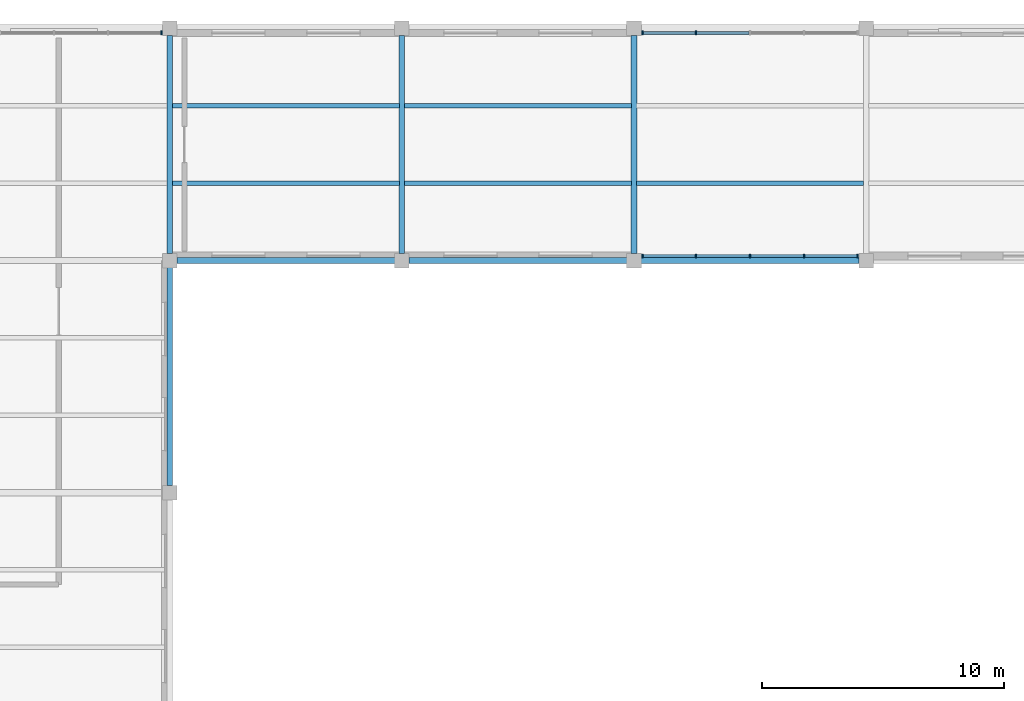
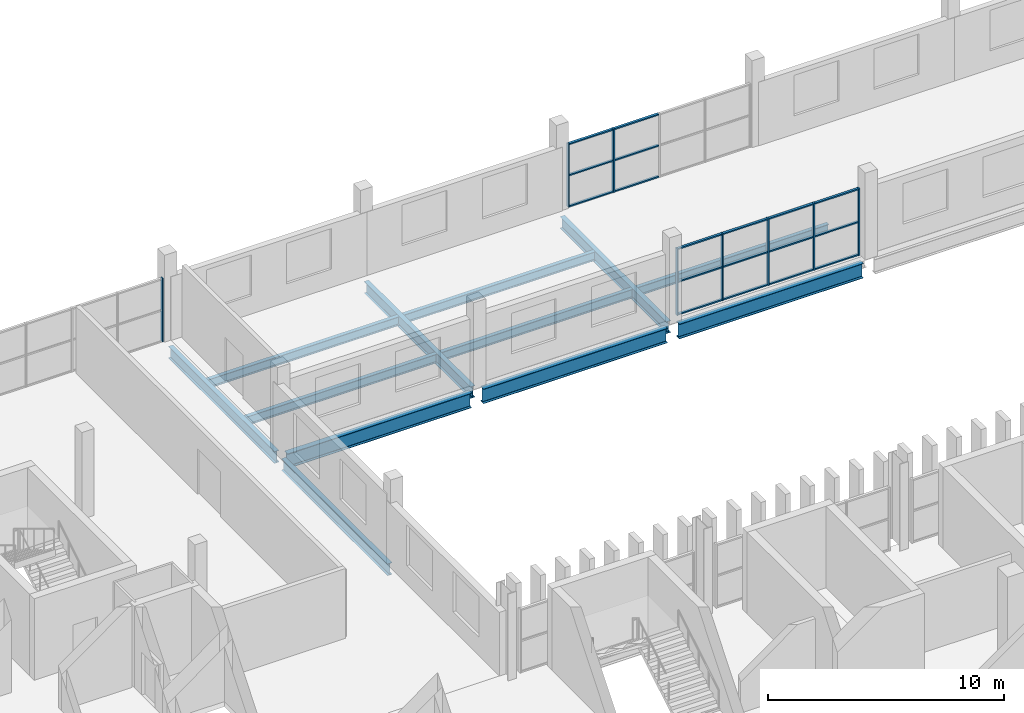
# One storey, part 41 of 92: 26 members, 12 beams, 3 elements without a shape of their own.
"""IFC4 building model written with IfcOpenShell, lengths in metres."""

from ifc_helpers import new_model, si_unit, direction, frame, origin, origin_2d, place, context, subcontext, project, spatial, rectangle, i_section, extrude, material, layer, layer_set, material_profile, profile_set, type_object, element, aggregate, save


model = new_model("IFC4")

# Units and contexts
model_context = context("Model", 3, precision=1e-05, world=origin(), true_north=direction((0.0, 1.0)))
body_context = subcontext(model_context, "Body", "Model", "MODEL_VIEW")
ifc_project = project(units=[si_unit("LENGTHUNIT", "METRE"), si_unit("AREAUNIT", "SQUARE_METRE"), si_unit("VOLUMEUNIT", "CUBIC_METRE"), si_unit("PLANEANGLEUNIT", "RADIAN"), si_unit("MASSUNIT", "GRAM", prefix="KILO")], contexts=[model_context])

# Site, building, storey
site_placement = place(None, origin())
site = spatial("IfcSite", under=ifc_project, at=site_placement, CompositionType="ELEMENT")
building_placement = place(site_placement, origin())
building = spatial("IfcBuilding", under=site, at=building_placement, Name="Caelomonte Colonnade Arena", CompositionType="ELEMENT")
storey_placement = place(building_placement, frame((0.0, 0.0, 9.60009765625)))
storey = spatial("IfcBuildingStorey", under=building, at=storey_placement, Name="L02", CompositionType="ELEMENT", Elevation=9.60009765625)

# Curtain wall, members
ifc_material_1 = material(Name="Bronze anodised aluminium and low-E glazing", Category="aluminium")
ifc_layer_1 = layer(ifc_material_1, 0.179931640625)
ifc_layer_set_1 = layer_set([ifc_layer_1], Name="Bronze anodised aluminium and low-E glazing")
curtain_wall_type_1 = type_object("IfcCurtainWallType", Name="ENV-CW-CW-L02-96-33", PredefinedType="USERDEFINED", material=ifc_layer_set_1)
curtain_wall_1_placement = place(storey_placement, origin())
curtain_wall_1 = element("IfcCurtainWall", 1, at=curtain_wall_1_placement, inside=storey, type_object=curtain_wall_type_1, Name="L02 unitized curtain wall CW-L02-1200-1438", ObjectType="UNITIZED CURTAIN WALL", PredefinedType="USERDEFINED")
ifc_material_2 = material(Name="Bronze anodised aluminium AA6063-T6", Category="aluminium")
ifc_material_profile_1 = material_profile(ifc_material_2, rectangle(XDim=0.06494140625, YDim=0.14990234375, at=origin_2d()), Name="CWM-65X150")
ifc_profile_set_1 = profile_set([ifc_material_profile_1], Name="Bronze anodised aluminium AA6063-T6")
member_type_1 = type_object("IfcMemberType", Name="ENV-CW-MULL2", PredefinedType="MULLION", material=ifc_profile_set_1)
member_1_placement = place(storey_placement, frame((117.760009765625, 143.820068359375, 0.0), z_axis=(0.0, 0.0, 1.0), x_axis=(-1.0, 0.0, 0.0)))
member_1 = element("IfcMember", 2, at=member_1_placement, type_object=member_type_1, Name="CW-L02-96-33 mullion 4", PredefinedType="MULLION", context=body_context, shape_type="SweptSolid", body=[
    extrude(rectangle(XDim=0.06494140625, YDim=0.14990234375, at=origin_2d()), origin(), (0.0, 0.0, 1.0), 3.29296875),
])
member_2_placement = place(storey_placement, frame((115.552490234375, 143.820068359375, 0.0), z_axis=(0.0, 0.0, 1.0), x_axis=(-1.0, 0.0, 0.0)))
member_2 = element("IfcMember", 3, at=member_2_placement, type_object=member_type_1, Name="CW-L02-96-33 mullion 5", PredefinedType="MULLION", context=body_context, shape_type="SweptSolid", body=[
    extrude(rectangle(XDim=0.06494140625, YDim=0.14990234375, at=origin_2d()), origin(), (0.0, 0.0, 1.0), 3.29296875),
])

# Curtain wall, member
curtain_wall_2_placement = place(storey_placement, origin())
curtain_wall_2 = element("IfcCurtainWall", 4, at=curtain_wall_2_placement, inside=storey, type_object=curtain_wall_type_1, Name="L02 unitized curtain wall CW-L02-0912-1438", ObjectType="UNITIZED CURTAIN WALL", PredefinedType="USERDEFINED")
member_3_placement = place(storey_placement, frame((95.6474609375, 143.820068359375, 0.0), z_axis=(0.0, 0.0, 1.0), x_axis=(-1.0, 0.0, 0.0)))
member_3 = element("IfcMember", 5, at=member_3_placement, type_object=member_type_1, Name="CW-L02-96-33 mullion 1", PredefinedType="MULLION", context=body_context, shape_type="SweptSolid", body=[
    extrude(rectangle(XDim=0.06494140625, YDim=0.14990234375, at=origin_2d()), origin(), (0.0, 0.0, 1.0), 3.29296875),
])
aggregate(curtain_wall_2, [member_3])

# Curtain wall, members
ifc_layer_2 = layer(ifc_material_1, 0.179931640625)
ifc_layer_set_2 = layer_set([ifc_layer_2], Name="Bronze anodised aluminium and low-E glazing")
curtain_wall_type_2 = type_object("IfcCurtainWallType", Name="ENV-CW-CW-L02-96-35", PredefinedType="USERDEFINED", material=ifc_layer_set_2)
curtain_wall_3_placement = place(storey_placement, origin())
curtain_wall_3 = element("IfcCurtainWall", 6, at=curtain_wall_3_placement, inside=storey, type_object=curtain_wall_type_2, Name="L02 unitized curtain wall CW-L02-1200-1346", ObjectType="UNITIZED CURTAIN WALL", PredefinedType="USERDEFINED")
member_4_placement = place(storey_placement, frame((115.552490234375, 134.580078125, 0.0), z_axis=(0.0, 0.0, 1.0), x_axis=(1.0, 0.0, 0.0)))
member_4 = element("IfcMember", 7, at=member_4_placement, type_object=member_type_1, Name="CW-L02-96-35 mullion 1", PredefinedType="MULLION", context=body_context, shape_type="SweptSolid", body=[
    extrude(rectangle(XDim=0.06494140625, YDim=0.14990234375, at=origin_2d()), origin(), (0.0, 0.0, 1.0), 3.465576171875),
])
member_5_placement = place(storey_placement, frame((117.760009765625, 134.580078125, 0.0), z_axis=(0.0, 0.0, 1.0), x_axis=(1.0, 0.0, 0.0)))
member_5 = element("IfcMember", 8, at=member_5_placement, type_object=member_type_1, Name="CW-L02-96-35 mullion 2", PredefinedType="MULLION", context=body_context, shape_type="SweptSolid", body=[
    extrude(rectangle(XDim=0.06494140625, YDim=0.14990234375, at=origin_2d()), origin(), (0.0, 0.0, 1.0), 3.465576171875),
])
member_6_placement = place(storey_placement, frame((120.0, 134.580078125, 0.0), z_axis=(0.0, 0.0, 1.0), x_axis=(1.0, 0.0, 0.0)))
member_6 = element("IfcMember", 9, at=member_6_placement, type_object=member_type_1, Name="CW-L02-96-35 mullion 3", PredefinedType="MULLION", context=body_context, shape_type="SweptSolid", body=[
    extrude(rectangle(XDim=0.06494140625, YDim=0.14990234375, at=origin_2d()), origin(), (0.0, 0.0, 1.0), 3.465576171875),
])
member_7_placement = place(storey_placement, frame((122.239990234375, 134.580078125, 0.0), z_axis=(0.0, 0.0, 1.0), x_axis=(1.0, 0.0, 0.0)))
member_7 = element("IfcMember", 10, at=member_7_placement, type_object=member_type_1, Name="CW-L02-96-35 mullion 4", PredefinedType="MULLION", context=body_context, shape_type="SweptSolid", body=[
    extrude(rectangle(XDim=0.06494140625, YDim=0.14990234375, at=origin_2d()), origin(), (0.0, 0.0, 1.0), 3.465576171875),
])
member_8_placement = place(storey_placement, frame((124.447509765625, 134.580078125, 0.0), z_axis=(0.0, 0.0, 1.0), x_axis=(1.0, 0.0, 0.0)))
member_8 = element("IfcMember", 11, at=member_8_placement, type_object=member_type_1, Name="CW-L02-96-35 mullion 5", PredefinedType="MULLION", context=body_context, shape_type="SweptSolid", body=[
    extrude(rectangle(XDim=0.06494140625, YDim=0.14990234375, at=origin_2d()), origin(), (0.0, 0.0, 1.0), 3.465576171875),
])

# Member
ifc_material_profile_2 = material_profile(ifc_material_2, rectangle(XDim=0.06494140625, YDim=0.1201171875, at=origin_2d()), Name="CWT-65X120")
ifc_profile_set_2 = profile_set([ifc_material_profile_2], Name="Bronze anodised aluminium AA6063-T6")
member_type_2 = type_object("IfcMemberType", Name="ENV-CW-TRAN2", PredefinedType="USERDEFINED", material=ifc_profile_set_2)
member_9_placement = place(storey_placement, frame((119.967529296875, 143.820068359375, 0.032470703125), z_axis=(-1.0, 0.0, 0.0), x_axis=(0.0, 0.0, 1.0)))
member_9 = element("IfcMember", 12, at=member_9_placement, type_object=member_type_2, Name="CW-L02-96-33 transom 3.1", ObjectType="TRANSOM", PredefinedType="USERDEFINED", context=body_context, shape_type="SweptSolid", body=[
    extrude(rectangle(XDim=0.06494140625, YDim=0.1201171875, at=origin_2d()), origin(), (0.0, 0.0, 1.0), 2.175048828125),
])

member_10_placement = place(storey_placement, frame((119.967529296875, 143.820068359375, 1.646484375), z_axis=(-1.0, 0.0, 0.0), x_axis=(0.0, 0.0, 1.0)))
member_10 = element("IfcMember", 13, at=member_10_placement, type_object=member_type_2, Name="CW-L02-96-33 transom 3.2", ObjectType="TRANSOM", PredefinedType="USERDEFINED", context=body_context, shape_type="SweptSolid", body=[
    extrude(rectangle(XDim=0.06494140625, YDim=0.1201171875, at=origin_2d()), origin(), (0.0, 0.0, 1.0), 2.175048828125),
])

member_11_placement = place(storey_placement, frame((119.967529296875, 143.820068359375, 3.260498046875), z_axis=(-1.0, 0.0, 0.0), x_axis=(0.0, 0.0, 1.0)))
member_11 = element("IfcMember", 14, at=member_11_placement, type_object=member_type_2, Name="CW-L02-96-33 transom 3.3", ObjectType="TRANSOM", PredefinedType="USERDEFINED", context=body_context, shape_type="SweptSolid", body=[
    extrude(rectangle(XDim=0.06494140625, YDim=0.1201171875, at=origin_2d()), origin(), (0.0, 0.0, 1.0), 2.175048828125),
])

member_12_placement = place(storey_placement, frame((117.7275390625, 143.820068359375, 0.032470703125), z_axis=(-1.0, 0.0, 0.0), x_axis=(0.0, 0.0, 1.0)))
member_12 = element("IfcMember", 15, at=member_12_placement, type_object=member_type_2, Name="CW-L02-96-33 transom 4.1", ObjectType="TRANSOM", PredefinedType="USERDEFINED", context=body_context, shape_type="SweptSolid", body=[
    extrude(rectangle(XDim=0.06494140625, YDim=0.1201171875, at=origin_2d()), origin(), (0.0, 0.0, 1.0), 2.142578125),
])

member_13_placement = place(storey_placement, frame((117.7275390625, 143.820068359375, 1.646484375), z_axis=(-1.0, 0.0, 0.0), x_axis=(0.0, 0.0, 1.0)))
member_13 = element("IfcMember", 16, at=member_13_placement, type_object=member_type_2, Name="CW-L02-96-33 transom 4.2", ObjectType="TRANSOM", PredefinedType="USERDEFINED", context=body_context, shape_type="SweptSolid", body=[
    extrude(rectangle(XDim=0.06494140625, YDim=0.1201171875, at=origin_2d()), origin(), (0.0, 0.0, 1.0), 2.142578125),
])

member_14_placement = place(storey_placement, frame((117.7275390625, 143.820068359375, 3.260498046875), z_axis=(-1.0, 0.0, 0.0), x_axis=(0.0, 0.0, 1.0)))
member_14 = element("IfcMember", 17, at=member_14_placement, type_object=member_type_2, Name="CW-L02-96-33 transom 4.3", ObjectType="TRANSOM", PredefinedType="USERDEFINED", context=body_context, shape_type="SweptSolid", body=[
    extrude(rectangle(XDim=0.06494140625, YDim=0.1201171875, at=origin_2d()), origin(), (0.0, 0.0, 1.0), 2.142578125),
])

aggregate(curtain_wall_1, [member_1, member_2, member_9, member_10, member_11, member_12, member_13, member_14])

member_15_placement = place(storey_placement, frame((115.5849609375, 134.580078125, 0.032470703125), z_axis=(1.0, 0.0, 0.0), x_axis=(0.0, 0.0, 1.0)))
member_15 = element("IfcMember", 18, at=member_15_placement, type_object=member_type_2, Name="CW-L02-96-35 transom 1.1", ObjectType="TRANSOM", PredefinedType="USERDEFINED", context=body_context, shape_type="SweptSolid", body=[
    extrude(rectangle(XDim=0.06494140625, YDim=0.1201171875, at=origin_2d()), origin(), (0.0, 0.0, 1.0), 2.142578125),
])

member_16_placement = place(storey_placement, frame((115.5849609375, 134.580078125, 1.732666015625), z_axis=(1.0, 0.0, 0.0), x_axis=(0.0, 0.0, 1.0)))
member_16 = element("IfcMember", 19, at=member_16_placement, type_object=member_type_2, Name="CW-L02-96-35 transom 1.2", ObjectType="TRANSOM", PredefinedType="USERDEFINED", context=body_context, shape_type="SweptSolid", body=[
    extrude(rectangle(XDim=0.06494140625, YDim=0.1201171875, at=origin_2d()), origin(), (0.0, 0.0, 1.0), 2.142578125),
])

member_17_placement = place(storey_placement, frame((115.5849609375, 134.580078125, 3.43310546875), z_axis=(1.0, 0.0, 0.0), x_axis=(0.0, 0.0, 1.0)))
member_17 = element("IfcMember", 20, at=member_17_placement, type_object=member_type_2, Name="CW-L02-96-35 transom 1.3", ObjectType="TRANSOM", PredefinedType="USERDEFINED", context=body_context, shape_type="SweptSolid", body=[
    extrude(rectangle(XDim=0.06494140625, YDim=0.1201171875, at=origin_2d()), origin(), (0.0, 0.0, 1.0), 2.142578125),
])

member_18_placement = place(storey_placement, frame((117.79248046875, 134.580078125, 0.032470703125), z_axis=(1.0, 0.0, 0.0), x_axis=(0.0, 0.0, 1.0)))
member_18 = element("IfcMember", 21, at=member_18_placement, type_object=member_type_2, Name="CW-L02-96-35 transom 2.1", ObjectType="TRANSOM", PredefinedType="USERDEFINED", context=body_context, shape_type="SweptSolid", body=[
    extrude(rectangle(XDim=0.06494140625, YDim=0.1201171875, at=origin_2d()), origin(), (0.0, 0.0, 1.0), 2.175048828125),
])

member_19_placement = place(storey_placement, frame((117.79248046875, 134.580078125, 1.732666015625), z_axis=(1.0, 0.0, 0.0), x_axis=(0.0, 0.0, 1.0)))
member_19 = element("IfcMember", 22, at=member_19_placement, type_object=member_type_2, Name="CW-L02-96-35 transom 2.2", ObjectType="TRANSOM", PredefinedType="USERDEFINED", context=body_context, shape_type="SweptSolid", body=[
    extrude(rectangle(XDim=0.06494140625, YDim=0.1201171875, at=origin_2d()), origin(), (0.0, 0.0, 1.0), 2.175048828125),
])

member_20_placement = place(storey_placement, frame((117.79248046875, 134.580078125, 3.43310546875), z_axis=(1.0, 0.0, 0.0), x_axis=(0.0, 0.0, 1.0)))
member_20 = element("IfcMember", 23, at=member_20_placement, type_object=member_type_2, Name="CW-L02-96-35 transom 2.3", ObjectType="TRANSOM", PredefinedType="USERDEFINED", context=body_context, shape_type="SweptSolid", body=[
    extrude(rectangle(XDim=0.06494140625, YDim=0.1201171875, at=origin_2d()), origin(), (0.0, 0.0, 1.0), 2.175048828125),
])

member_21_placement = place(storey_placement, frame((120.032470703125, 134.580078125, 0.032470703125), z_axis=(1.0, 0.0, 0.0), x_axis=(0.0, 0.0, 1.0)))
member_21 = element("IfcMember", 24, at=member_21_placement, type_object=member_type_2, Name="CW-L02-96-35 transom 3.1", ObjectType="TRANSOM", PredefinedType="USERDEFINED", context=body_context, shape_type="SweptSolid", body=[
    extrude(rectangle(XDim=0.06494140625, YDim=0.1201171875, at=origin_2d()), origin(), (0.0, 0.0, 1.0), 2.175048828125),
])

member_22_placement = place(storey_placement, frame((120.032470703125, 134.580078125, 1.732666015625), z_axis=(1.0, 0.0, 0.0), x_axis=(0.0, 0.0, 1.0)))
member_22 = element("IfcMember", 25, at=member_22_placement, type_object=member_type_2, Name="CW-L02-96-35 transom 3.2", ObjectType="TRANSOM", PredefinedType="USERDEFINED", context=body_context, shape_type="SweptSolid", body=[
    extrude(rectangle(XDim=0.06494140625, YDim=0.1201171875, at=origin_2d()), origin(), (0.0, 0.0, 1.0), 2.175048828125),
])

member_23_placement = place(storey_placement, frame((120.032470703125, 134.580078125, 3.43310546875), z_axis=(1.0, 0.0, 0.0), x_axis=(0.0, 0.0, 1.0)))
member_23 = element("IfcMember", 26, at=member_23_placement, type_object=member_type_2, Name="CW-L02-96-35 transom 3.3", ObjectType="TRANSOM", PredefinedType="USERDEFINED", context=body_context, shape_type="SweptSolid", body=[
    extrude(rectangle(XDim=0.06494140625, YDim=0.1201171875, at=origin_2d()), origin(), (0.0, 0.0, 1.0), 2.175048828125),
])

member_24_placement = place(storey_placement, frame((122.2724609375, 134.580078125, 0.032470703125), z_axis=(1.0, 0.0, 0.0), x_axis=(0.0, 0.0, 1.0)))
member_24 = element("IfcMember", 27, at=member_24_placement, type_object=member_type_2, Name="CW-L02-96-35 transom 4.1", ObjectType="TRANSOM", PredefinedType="USERDEFINED", context=body_context, shape_type="SweptSolid", body=[
    extrude(rectangle(XDim=0.06494140625, YDim=0.1201171875, at=origin_2d()), origin(), (0.0, 0.0, 1.0), 2.142578125),
])

member_25_placement = place(storey_placement, frame((122.2724609375, 134.580078125, 1.732666015625), z_axis=(1.0, 0.0, 0.0), x_axis=(0.0, 0.0, 1.0)))
member_25 = element("IfcMember", 28, at=member_25_placement, type_object=member_type_2, Name="CW-L02-96-35 transom 4.2", ObjectType="TRANSOM", PredefinedType="USERDEFINED", context=body_context, shape_type="SweptSolid", body=[
    extrude(rectangle(XDim=0.06494140625, YDim=0.1201171875, at=origin_2d()), origin(), (0.0, 0.0, 1.0), 2.142578125),
])

member_26_placement = place(storey_placement, frame((122.2724609375, 134.580078125, 3.43310546875), z_axis=(1.0, 0.0, 0.0), x_axis=(0.0, 0.0, 1.0)))
member_26 = element("IfcMember", 29, at=member_26_placement, type_object=member_type_2, Name="CW-L02-96-35 transom 4.3", ObjectType="TRANSOM", PredefinedType="USERDEFINED", context=body_context, shape_type="SweptSolid", body=[
    extrude(rectangle(XDim=0.06494140625, YDim=0.1201171875, at=origin_2d()), origin(), (0.0, 0.0, 1.0), 2.142578125),
])

aggregate(curtain_wall_3, [member_4, member_5, member_6, member_7, member_8, member_15, member_16, member_17, member_18, member_19, member_20, member_21, member_22, member_23, member_24, member_25, member_26])

# Beams
ifc_material_3 = material(Name="Wide-flange steel ASTM A992 Grade 50", Category="steel")
ifc_material_profile_3 = material_profile(ifc_material_3, i_section(OverallWidth=0.228271484375, OverallDepth=0.607177734375, WebThickness=0.01123046875, FlangeThickness=0.017333984375, FilletRadius=0.0126953125, at=origin_2d()), Name="W24X76")
ifc_profile_set_3 = profile_set([ifc_material_profile_3], Name="Wide-flange steel ASTM A992 Grade 50")
beam_type_1 = type_object("IfcBeamType", Name="STR-BM-GIRD24", PredefinedType="BEAM", material=ifc_profile_set_3)
beam_1_placement = place(storey_placement, frame((96.0, 125.092041015625, -0.58349609375), z_axis=(0.0, 1.0, 0.0), x_axis=(-1.0, 0.0, 0.0)))
element("IfcBeam", 30, at=beam_1_placement, inside=storey, type_object=beam_type_1, Name="L02 girder BMY-L02-0960-1248", PredefinedType="BEAM", context=body_context, shape_type="SweptSolid", body=[
    extrude(i_section(OverallWidth=0.228271484375, OverallDepth=0.607177734375, WebThickness=0.01123046875, FlangeThickness=0.017333984375, FilletRadius=0.0126953125, at=origin_2d()), origin(), (0.0, 0.0, 1.0), 9.015869140625),
])
for number, where, z_axis, x_axis, name in (
    (31, (96.0, 134.69189453125, -0.58349609375), (0.0, 1.0, 0.0), (-1.0, 0.0, 0.0), "L02 girder BMY-L02-0960-1344"),
    (32, (105.60009765625, 134.69189453125, -0.58349609375), (0.0, 1.0, 0.0), (-1.0, 0.0, 0.0), "L02 girder BMY-L02-1056-1344"),
    (33, (115.199951171875, 134.69189453125, -0.58349609375), (0.0, 1.0, 0.0), (-1.0, 0.0, 0.0), "L02 girder BMY-L02-1152-1344"),
):
    element("IfcBeam", number, at=place(storey_placement, frame(where, z_axis=z_axis, x_axis=x_axis)), inside=storey, type_object=beam_type_1, Name=name, PredefinedType="BEAM", context=body_context, shape_type="SweptSolid", body=[
        extrude(i_section(OverallWidth=0.228271484375, OverallDepth=0.607177734375, WebThickness=0.01123046875, FlangeThickness=0.017333984375, FilletRadius=0.0126953125, at=origin_2d()), origin(), (0.0, 0.0, 1.0), 9.01611328125),
    ])
ifc_material_profile_4 = material_profile(ifc_material_3, i_section(OverallWidth=0.2666015625, OverallDepth=0.761962890625, WebThickness=0.014404296875, FlangeThickness=0.021484375, FilletRadius=0.0166015625, at=origin_2d()), Name="W30X116")
ifc_profile_set_4 = profile_set([ifc_material_profile_4], Name="Wide-flange steel ASTM A992 Grade 50")
beam_type_2 = type_object("IfcBeamType", Name="STR-BM-GIRD30", PredefinedType="BEAM", material=ifc_profile_set_4)
beam_2_placement = place(storey_placement, frame((96.2919921875, 134.39990234375, -0.6611328125), z_axis=(1.0, 0.0, 0.0), x_axis=(0.0, 1.0, 0.0)))
element("IfcBeam", 34, at=beam_2_placement, inside=storey, type_object=beam_type_2, Name="L02 girder BMX-L02-0960-1344", PredefinedType="BEAM", context=body_context, shape_type="SweptSolid", body=[
    extrude(i_section(OverallWidth=0.2666015625, OverallDepth=0.761962890625, WebThickness=0.014404296875, FlangeThickness=0.021484375, FilletRadius=0.0166015625, at=origin_2d()), origin(), (0.0, 0.0, 1.0), 9.01611328125),
])
beam_3_placement = place(storey_placement, frame((105.89208984375, 134.39990234375, -0.6611328125), z_axis=(1.0, 0.0, 0.0), x_axis=(0.0, 1.0, 0.0)))
element("IfcBeam", 35, at=beam_3_placement, inside=storey, type_object=beam_type_2, Name="L02 girder BMX-L02-1056-1344", PredefinedType="BEAM", context=body_context, shape_type="SweptSolid", body=[
    extrude(i_section(OverallWidth=0.2666015625, OverallDepth=0.761962890625, WebThickness=0.014404296875, FlangeThickness=0.021484375, FilletRadius=0.0166015625, at=origin_2d()), origin(), (0.0, 0.0, 1.0), 9.015869140625),
])
beam_4_placement = place(storey_placement, frame((115.491943359375, 134.39990234375, -0.6611328125), z_axis=(1.0, 0.0, 0.0), x_axis=(0.0, 1.0, 0.0)))
element("IfcBeam", 36, at=beam_4_placement, inside=storey, type_object=beam_type_2, Name="L02 girder BMX-L02-1152-1344", PredefinedType="BEAM", context=body_context, shape_type="SweptSolid", body=[
    extrude(i_section(OverallWidth=0.2666015625, OverallDepth=0.761962890625, WebThickness=0.014404296875, FlangeThickness=0.021484375, FilletRadius=0.0166015625, at=origin_2d()), origin(), (0.0, 0.0, 1.0), 9.01611328125),
])
ifc_material_profile_5 = material_profile(ifc_material_3, i_section(OverallWidth=0.1904296875, OverallDepth=0.457275390625, WebThickness=0.009033203125, FlangeThickness=0.014404296875, FilletRadius=0.01025390625, at=origin_2d()), Name="W18X50")
ifc_profile_set_5 = profile_set([ifc_material_profile_5], Name="Wide-flange steel ASTM A992 Grade 50")
beam_type_3 = type_object("IfcBeamType", Name="STR-BM-JOIST18", PredefinedType="JOIST", material=ifc_profile_set_5)
for number, where, z_axis, x_axis, name in (
    (37, (96.109130859375, 137.60009765625, -0.5087890625), (1.0, 0.0, 0.0), (0.0, 1.0, 0.0), "L02 secondary joist 1"),
    (38, (96.109130859375, 140.800048828125, -0.5087890625), (1.0, 0.0, 0.0), (0.0, 1.0, 0.0), "L02 secondary joist 2"),
):
    element("IfcBeam", number, at=place(storey_placement, frame(where, z_axis=z_axis, x_axis=x_axis)), inside=storey, type_object=beam_type_3, Name=name, PredefinedType="JOIST", context=body_context, shape_type="SweptSolid", body=[
        extrude(i_section(OverallWidth=0.1904296875, OverallDepth=0.457275390625, WebThickness=0.009033203125, FlangeThickness=0.014404296875, FilletRadius=0.01025390625, at=origin_2d()), origin(), (0.0, 0.0, 1.0), 9.381591796875),
    ])
for number, where, z_axis, x_axis, name in (
    (39, (105.708984375, 137.60009765625, -0.5087890625), (1.0, 0.0, 0.0), (0.0, 1.0, 0.0), "L02 secondary joist 1"),
    (40, (105.708984375, 140.800048828125, -0.5087890625), (1.0, 0.0, 0.0), (0.0, 1.0, 0.0), "L02 secondary joist 2"),
    (41, (115.30908203125, 137.60009765625, -0.5087890625), (1.0, 0.0, 0.0), (0.0, 1.0, 0.0), "L02 secondary joist 1"),
):
    element("IfcBeam", number, at=place(storey_placement, frame(where, z_axis=z_axis, x_axis=x_axis)), inside=storey, type_object=beam_type_3, Name=name, PredefinedType="JOIST", context=body_context, shape_type="SweptSolid", body=[
        extrude(i_section(OverallWidth=0.1904296875, OverallDepth=0.457275390625, WebThickness=0.009033203125, FlangeThickness=0.014404296875, FilletRadius=0.01025390625, at=origin_2d()), origin(), (0.0, 0.0, 1.0), 9.3818359375),
    ])

save(model, "model.ifc")
